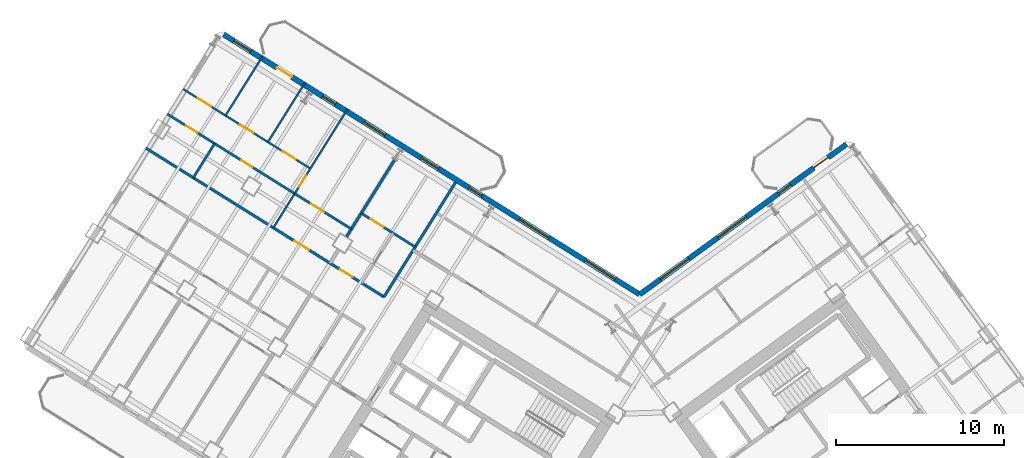
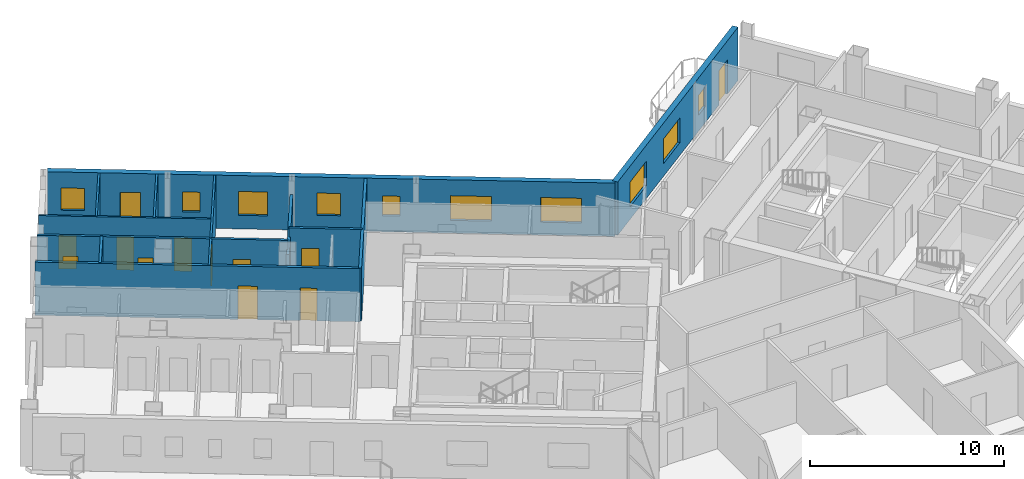
# One storey, part 16 of 21: 13 walls, 12 doors, 10 windows, 22 openings.
"""IFC4 building model written with IfcOpenShell, lengths in metres."""

from ifc_helpers import new_model, si_unit, direction, frame, frame_2d, origin, place, context, subcontext, project, spatial, rectangle, extrude, source, transform, mapped, material, layer, layer_set, type_object, element, fill, save


model = new_model("IFC4")

# Units and contexts
model_context = context("Model", 3, precision=1e-05, world=origin(), true_north=direction((0.0, 1.0)))
body_context = subcontext(model_context, "Body", "Model", "MODEL_VIEW")
ifc_project = project(units=[si_unit("LENGTHUNIT", "METRE"), si_unit("AREAUNIT", "SQUARE_METRE"), si_unit("VOLUMEUNIT", "CUBIC_METRE"), si_unit("PLANEANGLEUNIT", "RADIAN"), si_unit("MASSUNIT", "GRAM", prefix="KILO")], contexts=[model_context])

# Site, building, storey
site_placement = place(None, origin())
site = spatial("IfcSite", under=ifc_project, at=site_placement, CompositionType="ELEMENT")
building_placement = place(site_placement, origin())
building = spatial("IfcBuilding", under=site, at=building_placement, Name="Tlacorven Tower", CompositionType="ELEMENT")
storey_placement = place(building_placement, frame((0.0, 0.0, 93.60009765625)))
storey = spatial("IfcBuildingStorey", under=building, at=storey_placement, Name="L23", CompositionType="ELEMENT", Elevation=93.60009765625)

# Wall
ifc_material_1 = material(Name="Gypsum plasterboard acoustic partition", Category="gypsum")
ifc_layer_1 = layer(ifc_material_1, 0.159912109375)
ifc_layer_set_1 = layer_set([ifc_layer_1], Name="Gypsum plasterboard acoustic partition")
wall_type_1 = type_object("IfcWallType", Name="WL-DEM-160", PredefinedType="PARTITIONING", material=ifc_layer_set_1)
wall_1_placement = place(storey_placement, frame((31.238525390625, 38.27392578125, 0.0), z_axis=(0.0, 0.0, 1.0), x_axis=(-0.529928058306, -0.848042600947, 0.0)))
element("IfcWall", 1, at=wall_1_placement, inside=storey, type_object=wall_type_1, Name="L23 partition 51", PredefinedType="PARTITIONING", context=body_context, shape_type="SweptSolid", body=[
    extrude(rectangle(XDim=8.0498046875, YDim=0.159912109375, at=frame_2d((4.02490234375, 0.0))), origin(), (0.0, 0.0, 1.0), 3.33984375),
])

# Wall, openings, doors
wall_2_placement = place(storey_placement, frame((26.97265625, 31.447265625, 0.0), z_axis=(0.0, 0.0, 1.0), x_axis=(-0.848048310262, 0.529918921593, 0.0)))
wall_2 = element("IfcWall", 2, at=wall_2_placement, inside=storey, type_object=wall_type_1, Name="L23 Wing W Corridor South Wall", PredefinedType="PARTITIONING", context=body_context, shape_type="SweptSolid", body=[
    extrude(rectangle(XDim=16.72998046875, YDim=0.159912109375, at=frame_2d((8.364990234375, 0.0))), origin(), (0.0, 0.0, 1.0), 3.33984375),
])
opening_1_placement = place(wall_2_placement, frame((2.219970703125, 0.0, 0.0)))
opening_1 = element("IfcOpeningElement", 3, at=opening_1_placement, cuts=wall_2, Name="Opening D19", PredefinedType="OPENING", context=body_context, shape_type="SweptSolid", body=[
    extrude(rectangle(XDim=0.860107421875, YDim=2.050048828125, at=frame_2d((0.43017578125, 1.02490234375))), frame((0.0, 0.08984375, 0.0), z_axis=(0.0, -1.0, 0.0), x_axis=(1.0, 0.0, 0.0)), (0.0, 0.0, 1.0), 0.179931640625),
])
opening_2_placement = place(wall_2_placement, frame((5.280029296875, 0.0, 0.0)))
opening_2 = element("IfcOpeningElement", 4, at=opening_2_placement, cuts=wall_2, Name="Opening D11", PredefinedType="OPENING", context=body_context, shape_type="SweptSolid", body=[
    extrude(rectangle(XDim=1.0, YDim=2.10009765625, at=frame_2d((0.5, 1.050048828125))), frame((0.0, 0.08984375, 0.0), z_axis=(0.0, -1.0, 0.0), x_axis=(1.0, 0.0, 0.0)), (0.0, 0.0, 1.0), 0.179931640625),
])
ifc_material_2 = material(Name="Fire-rated steel door assembly", Category="steel")
door_type_1 = type_object("IfcDoorType", Name="DR-RSR-FD60-0860", OperationType="NOTDEFINED", PredefinedType="DOOR", material=ifc_material_2)
shared_shape_1 = source(origin(), body_context, "Body", "SweptSolid", [
    extrude(rectangle(XDim=0.860107421875, YDim=2.050048828125, at=frame_2d((0.43017578125, 1.02490234375))), frame((0.0, 0.02490234375, 0.0), z_axis=(0.0, -1.0, 0.0), x_axis=(1.0, 0.0, 0.0)), (0.0, 0.0, 1.0), 0.050048828125),
])
door_1_placement = place(opening_1_placement, origin())
door_1 = element("IfcDoor", 5, at=door_1_placement, inside=storey, type_object=door_type_1, Name="L23 door 036", OperationType="SINGLE_SWING_LEFT", OverallHeight=2.050048828125, OverallWidth=0.860107421875, PredefinedType="DOOR", context=body_context, shape_type="MappedRepresentation", body=[
    mapped(shared_shape_1, transform((0.0, 0.0, 0.0), scale=1.0)),
])
fill(opening_1, door_1)
door_type_2 = type_object("IfcDoorType", Name="DR-FLT-FD60-1000", OperationType="NOTDEFINED", PredefinedType="DOOR", material=ifc_material_2)
shared_shape_2 = source(origin(), body_context, "Body", "SweptSolid", [
    extrude(rectangle(XDim=1.0, YDim=2.10009765625, at=frame_2d((0.5, 1.050048828125))), frame((0.0, 0.02490234375, 0.0), z_axis=(0.0, -1.0, 0.0), x_axis=(1.0, 0.0, 0.0)), (0.0, 0.0, 1.0), 0.050048828125),
])
door_2_placement = place(opening_2_placement, origin())
door_2 = element("IfcDoor", 6, at=door_2_placement, inside=storey, type_object=door_type_2, Name="L23 door 040", OperationType="SINGLE_SWING_LEFT", OverallHeight=2.10009765625, OverallWidth=1.0, PredefinedType="DOOR", context=body_context, shape_type="MappedRepresentation", body=[
    mapped(shared_shape_2, transform((0.0, 0.0, 0.0), scale=1.0)),
])
fill(opening_2, door_2)

# Wall
wall_3_placement = place(storey_placement, frame((27.607421875, 39.614990234375, 0.0), z_axis=(0.0, 0.0, 1.0), x_axis=(-0.529913610495, -0.848051628978, 0.0)))
element("IfcWall", 7, at=wall_3_placement, inside=storey, type_object=wall_type_1, Name="L23 WS Demising Wall 1", PredefinedType="PARTITIONING", context=body_context, shape_type="SweptSolid", body=[
    extrude(rectangle(XDim=5.40087890625, YDim=0.159912109375, at=frame_2d((2.700439453125, 0.0))), origin(), (0.0, 0.0, 1.0), 2.77490234375),
])

# Wall, openings, door, windows
ifc_material_3 = material(Name="Precast concrete C45/55", Category="concrete")
ifc_layer_2 = layer(ifc_material_3, 0.320068359375)
ifc_layer_set_2 = layer_set([ifc_layer_2], Name="Precast concrete C45/55")
wall_type_2 = type_object("IfcWallType", Name="WL-EXT-320", PredefinedType="STANDARD", material=ifc_layer_set_2)
wall_4_placement = place(storey_placement, frame((17.423828125, 47.083251953125, 0.0), z_axis=(0.0, 0.0, 1.0), x_axis=(0.848049927979, -0.529916332693, 0.0)))
wall_4 = element("IfcWall", 8, at=wall_4_placement, inside=storey, type_object=wall_type_2, Name="L23 Masonry-Frame Recessed Facade Wall 3", PredefinedType="STANDARD", context=body_context, shape_type="SweptSolid", body=[
    extrude(rectangle(XDim=29.22314453125, YDim=0.320068359375, at=frame_2d((14.611572265625, 0.0))), origin(), (0.0, 0.0, 1.0), 3.349853515625),
])
opening_3_placement = place(wall_4_placement, frame((3.745361328125, 0.0, 0.0)))
opening_3 = element("IfcOpeningElement", 9, at=opening_3_placement, cuts=wall_4, Name="Opening D06", PredefinedType="OPENING", context=body_context, shape_type="SweptSolid", body=[
    extrude(rectangle(XDim=1.050048828125, YDim=2.14990234375, at=frame_2d((0.52490234375, 1.074951171875))), frame((0.0, 0.169921875, 0.0), z_axis=(0.0, -1.0, 0.0), x_axis=(1.0, 0.0, 0.0)), (0.0, 0.0, 1.0), 0.340087890625),
])
opening_4_placement = place(wall_4_placement, frame((0.699462890625, 0.0, 0.949951171875)))
opening_4 = element("IfcOpeningElement", 10, at=opening_4_placement, cuts=wall_4, Name="Opening WN03", PredefinedType="OPENING", context=body_context, shape_type="SweptSolid", body=[
    extrude(rectangle(XDim=1.199951171875, YDim=1.39990234375, at=frame_2d((0.60009765625, 0.699951171875))), frame((0.0, 0.169921875, 0.0), z_axis=(0.0, -1.0, 0.0), x_axis=(1.0, 0.0, 0.0)), (0.0, 0.0, 1.0), 0.340087890625),
])
opening_5_placement = place(wall_4_placement, frame((6.951171875, 0.0, 1.0)))
opening_5 = element("IfcOpeningElement", 11, at=opening_5_placement, cuts=wall_4, Name="Opening WN05", PredefinedType="OPENING", context=body_context, shape_type="SweptSolid", body=[
    extrude(rectangle(XDim=0.89990234375, YDim=1.25, at=frame_2d((0.449951171875, 0.625))), frame((0.0, 0.169921875, 0.0), z_axis=(0.0, -1.0, 0.0), x_axis=(1.0, 0.0, 0.0)), (0.0, 0.0, 1.0), 0.340087890625),
])
opening_6_placement = place(wall_4_placement, frame((9.84130859375, 0.0, 0.85009765625)))
opening_6 = element("IfcOpeningElement", 12, at=opening_6_placement, cuts=wall_4, Name="Opening WN02", PredefinedType="OPENING", context=body_context, shape_type="SweptSolid", body=[
    extrude(rectangle(XDim=1.5, YDim=1.5, at=frame_2d((0.75, 0.75))), frame((0.0, 0.169921875, 0.0), z_axis=(0.0, -1.0, 0.0), x_axis=(1.0, 0.0, 0.0)), (0.0, 0.0, 1.0), 0.340087890625),
])
opening_7_placement = place(wall_4_placement, frame((13.888671875, 0.0, 0.949951171875)))
opening_7 = element("IfcOpeningElement", 13, at=opening_7_placement, cuts=wall_4, Name="Opening WN03", PredefinedType="OPENING", context=body_context, shape_type="SweptSolid", body=[
    extrude(rectangle(XDim=1.199951171875, YDim=1.39990234375, at=frame_2d((0.60009765625, 0.699951171875))), frame((0.0, 0.169921875, 0.0), z_axis=(0.0, -1.0, 0.0), x_axis=(1.0, 0.0, 0.0)), (0.0, 0.0, 1.0), 0.340087890625),
])
opening_8_placement = place(wall_4_placement, frame((17.253662109375, 0.0, 1.0)))
opening_8 = element("IfcOpeningElement", 14, at=opening_8_placement, cuts=wall_4, Name="Opening WN05", PredefinedType="OPENING", context=body_context, shape_type="SweptSolid", body=[
    extrude(rectangle(XDim=0.89990234375, YDim=1.25, at=frame_2d((0.449951171875, 0.625))), frame((0.0, 0.169921875, 0.0), z_axis=(0.0, -1.0, 0.0), x_axis=(1.0, 0.0, 0.0)), (0.0, 0.0, 1.0), 0.340087890625),
])
opening_9_placement = place(wall_4_placement, frame((20.763671875, 0.0, 0.800048828125)))
opening_9 = element("IfcOpeningElement", 15, at=opening_9_placement, cuts=wall_4, Name="Opening WN04", PredefinedType="OPENING", context=body_context, shape_type="SweptSolid", body=[
    extrude(rectangle(XDim=2.10009765625, YDim=1.550048828125, at=frame_2d((1.050048828125, 0.77490234375))), frame((0.0, 0.169921875, 0.0), z_axis=(0.0, -1.0, 0.0), x_axis=(1.0, 0.0, 0.0)), (0.0, 0.0, 1.0), 0.340087890625),
])
opening_10_placement = place(wall_4_placement, frame((25.4033203125, 0.0, 0.800048828125)))
opening_10 = element("IfcOpeningElement", 16, at=opening_10_placement, cuts=wall_4, Name="Opening WN04", PredefinedType="OPENING", context=body_context, shape_type="SweptSolid", body=[
    extrude(rectangle(XDim=2.10009765625, YDim=1.550048828125, at=frame_2d((1.050048828125, 0.77490234375))), frame((0.0, 0.169921875, 0.0), z_axis=(0.0, -1.0, 0.0), x_axis=(1.0, 0.0, 0.0)), (0.0, 0.0, 1.0), 0.340087890625),
])
ifc_material_4 = material(Name="Powder-coated aluminium and timber door", Category="wood")
door_type_3 = type_object("IfcDoorType", Name="DR-EXT-BALC-1050", OperationType="NOTDEFINED", PredefinedType="DOOR", material=ifc_material_4)
shared_shape_3 = source(origin(), body_context, "Body", "SweptSolid", [
    extrude(rectangle(XDim=1.050048828125, YDim=2.14990234375, at=frame_2d((0.52490234375, 1.074951171875))), frame((0.0, 0.02490234375, 0.0), z_axis=(0.0, -1.0, 0.0), x_axis=(1.0, 0.0, 0.0)), (0.0, 0.0, 1.0), 0.050048828125),
])
door_3_placement = place(opening_3_placement, origin())
door_3 = element("IfcDoor", 17, at=door_3_placement, inside=storey, type_object=door_type_3, Name="L23 Outdoor Access Door BAL-L23-W-IN", OperationType="SINGLE_SWING_RIGHT", OverallHeight=2.14990234375, OverallWidth=1.050048828125, PredefinedType="DOOR", context=body_context, shape_type="MappedRepresentation", body=[
    mapped(shared_shape_3, transform((0.0, 0.0, 0.0), scale=1.0)),
])
fill(opening_3, door_3)
ifc_material_5 = material(Name="Dark solar low-E double glazing in anodised aluminium frame", Category="aluminium")
window_type_1 = type_object("IfcWindowType", Name="WN-APT-2100X1750", PartitioningType="SINGLE_PANEL", PredefinedType="WINDOW", material=ifc_material_5)
shared_shape_4 = source(origin(), body_context, "Body", "SweptSolid", [
    extrude(rectangle(XDim=2.10009765625, YDim=1.550048828125, at=frame_2d((1.050048828125, 0.77490234375))), frame((0.0, 0.030029296875, 0.0), z_axis=(0.0, -1.0, 0.0), x_axis=(1.0, 0.0, 0.0)), (0.0, 0.0, 1.0), 0.06005859375),
])
window_1_placement = place(opening_9_placement, origin())
window_1 = element("IfcWindow", 18, at=window_1_placement, inside=storey, type_object=window_type_1, Name="L23 Recessed Masonry-Frame Window L23-03.6", OverallHeight=1.550048828125, OverallWidth=2.10009765625, PartitioningType="SINGLE_PANEL", PredefinedType="WINDOW", context=body_context, shape_type="MappedRepresentation", body=[
    mapped(shared_shape_4, transform((0.0, 0.0, 0.0), scale=1.0)),
])
fill(opening_9, window_1)
window_2_placement = place(opening_10_placement, origin())
window_2 = element("IfcWindow", 19, at=window_2_placement, inside=storey, type_object=window_type_1, Name="L23 Recessed Masonry-Frame Window L23-03.7", OverallHeight=1.550048828125, OverallWidth=2.10009765625, PartitioningType="SINGLE_PANEL", PredefinedType="WINDOW", context=body_context, shape_type="MappedRepresentation", body=[
    mapped(shared_shape_4, transform((0.0, 0.0, 0.0), scale=1.0)),
])
fill(opening_10, window_2)
window_type_2 = type_object("IfcWindowType", Name="WN-APT-1200X1500", PartitioningType="SINGLE_PANEL", PredefinedType="WINDOW", material=ifc_material_5)
shared_shape_5 = source(origin(), body_context, "Body", "SweptSolid", [
    extrude(rectangle(XDim=1.199951171875, YDim=1.39990234375, at=frame_2d((0.60009765625, 0.699951171875))), frame((0.0, 0.030029296875, 0.0), z_axis=(0.0, -1.0, 0.0), x_axis=(1.0, 0.0, 0.0)), (0.0, 0.0, 1.0), 0.06005859375),
])
window_3_placement = place(opening_4_placement, origin())
window_3 = element("IfcWindow", 20, at=window_3_placement, inside=storey, type_object=window_type_2, Name="L23 Recessed Masonry-Frame Window L23-03.1", OverallHeight=1.39990234375, OverallWidth=1.199951171875, PartitioningType="SINGLE_PANEL", PredefinedType="WINDOW", context=body_context, shape_type="MappedRepresentation", body=[
    mapped(shared_shape_5, transform((0.0, 0.0, 0.0), scale=1.0)),
])
fill(opening_4, window_3)
window_4_placement = place(opening_7_placement, origin())
window_4 = element("IfcWindow", 21, at=window_4_placement, inside=storey, type_object=window_type_2, Name="L23 Recessed Masonry-Frame Window L23-03.4", OverallHeight=1.39990234375, OverallWidth=1.199951171875, PartitioningType="SINGLE_PANEL", PredefinedType="WINDOW", context=body_context, shape_type="MappedRepresentation", body=[
    mapped(shared_shape_5, transform((0.0, 0.0, 0.0), scale=1.0)),
])
fill(opening_7, window_4)
window_type_3 = type_object("IfcWindowType", Name="WN-APT-1500X1650", PartitioningType="SINGLE_PANEL", PredefinedType="WINDOW", material=ifc_material_5)
shared_shape_6 = source(origin(), body_context, "Body", "SweptSolid", [
    extrude(rectangle(XDim=1.5, YDim=1.5, at=frame_2d((0.75, 0.75))), frame((0.0, 0.030029296875, 0.0), z_axis=(0.0, -1.0, 0.0), x_axis=(1.0, 0.0, 0.0)), (0.0, 0.0, 1.0), 0.06005859375),
])
window_5_placement = place(opening_6_placement, origin())
window_5 = element("IfcWindow", 22, at=window_5_placement, inside=storey, type_object=window_type_3, Name="L23 Recessed Masonry-Frame Window L23-03.3", OverallHeight=1.5, OverallWidth=1.5, PartitioningType="SINGLE_PANEL", PredefinedType="WINDOW", context=body_context, shape_type="MappedRepresentation", body=[
    mapped(shared_shape_6, transform((0.0, 0.0, 0.0), scale=1.0)),
])
fill(opening_6, window_5)
window_type_4 = type_object("IfcWindowType", Name="WN-APT-0900X1350", PartitioningType="SINGLE_PANEL", PredefinedType="WINDOW", material=ifc_material_5)
shared_shape_7 = source(origin(), body_context, "Body", "SweptSolid", [
    extrude(rectangle(XDim=0.89990234375, YDim=1.25, at=frame_2d((0.449951171875, 0.625))), frame((0.0, 0.030029296875, 0.0), z_axis=(0.0, -1.0, 0.0), x_axis=(1.0, 0.0, 0.0)), (0.0, 0.0, 1.0), 0.06005859375),
])
window_6_placement = place(opening_5_placement, origin())
window_6 = element("IfcWindow", 23, at=window_6_placement, inside=storey, type_object=window_type_4, Name="L23 Recessed Masonry-Frame Window L23-03.2", OverallHeight=1.25, OverallWidth=0.89990234375, PartitioningType="SINGLE_PANEL", PredefinedType="WINDOW", context=body_context, shape_type="MappedRepresentation", body=[
    mapped(shared_shape_7, transform((0.0, 0.0, 0.0), scale=1.0)),
])
fill(opening_5, window_6)
window_7_placement = place(opening_8_placement, origin())
window_7 = element("IfcWindow", 24, at=window_7_placement, inside=storey, type_object=window_type_4, Name="L23 Recessed Masonry-Frame Window L23-03.5", OverallHeight=1.25, OverallWidth=0.89990234375, PartitioningType="SINGLE_PANEL", PredefinedType="WINDOW", context=body_context, shape_type="MappedRepresentation", body=[
    mapped(shared_shape_7, transform((0.0, 0.0, 0.0), scale=1.0)),
])
fill(opening_8, window_7)

wall_5_placement = place(storey_placement, frame((42.20654296875, 31.597412109375, 0.0), z_axis=(0.0, 0.0, 1.0), x_axis=(0.809020333377, 0.587780656523, 0.0)))
wall_5 = element("IfcWall", 25, at=wall_5_placement, inside=storey, type_object=wall_type_2, Name="L23 Masonry-Frame Recessed Facade Wall 4", PredefinedType="STANDARD", context=body_context, shape_type="SweptSolid", body=[
    extrude(rectangle(XDim=15.222900390625, YDim=0.320068359375, at=frame_2d((7.611328125, 0.0))), origin(), (0.0, 0.0, 1.0), 3.349853515625),
])
opening_11_placement = place(wall_5_placement, frame((12.81982421875, 0.0, 0.0)))
opening_11 = element("IfcOpeningElement", 26, at=opening_11_placement, cuts=wall_5, Name="Opening D06", PredefinedType="OPENING", context=body_context, shape_type="SweptSolid", body=[
    extrude(rectangle(XDim=1.050048828125, YDim=2.14990234375, at=frame_2d((0.52490234375, 1.074951171875))), frame((0.0, 0.169921875, 0.0), z_axis=(0.0, -1.0, 0.0), x_axis=(1.0, 0.0, 0.0)), (0.0, 0.0, 1.0), 0.340087890625),
])
opening_12_placement = place(wall_5_placement, frame((1.52001953125, 0.0, 0.800048828125)))
opening_12 = element("IfcOpeningElement", 27, at=opening_12_placement, cuts=wall_5, Name="Opening WN04", PredefinedType="OPENING", context=body_context, shape_type="SweptSolid", body=[
    extrude(rectangle(XDim=2.10009765625, YDim=1.550048828125, at=frame_2d((1.050048828125, 0.77490234375))), frame((0.0, 0.169921875, 0.0), z_axis=(0.0, -1.0, 0.0), x_axis=(1.0, 0.0, 0.0)), (0.0, 0.0, 1.0), 0.340087890625),
])
opening_13_placement = place(wall_5_placement, frame((5.759521484375, 0.0, 0.800048828125)))
opening_13 = element("IfcOpeningElement", 28, at=opening_13_placement, cuts=wall_5, Name="Opening WN04", PredefinedType="OPENING", context=body_context, shape_type="SweptSolid", body=[
    extrude(rectangle(XDim=2.10009765625, YDim=1.550048828125, at=frame_2d((1.050048828125, 0.77490234375))), frame((0.0, 0.169921875, 0.0), z_axis=(0.0, -1.0, 0.0), x_axis=(1.0, 0.0, 0.0)), (0.0, 0.0, 1.0), 0.340087890625),
])
opening_14_placement = place(wall_5_placement, frame((10.219482421875, 0.0, 1.0)))
opening_14 = element("IfcOpeningElement", 29, at=opening_14_placement, cuts=wall_5, Name="Opening WN05", PredefinedType="OPENING", context=body_context, shape_type="SweptSolid", body=[
    extrude(rectangle(XDim=0.89990234375, YDim=1.25, at=frame_2d((0.449951171875, 0.625))), frame((0.0, 0.169921875, 0.0), z_axis=(0.0, -1.0, 0.0), x_axis=(1.0, 0.0, 0.0)), (0.0, 0.0, 1.0), 0.340087890625),
])
door_4_placement = place(opening_11_placement, origin())
door_4 = element("IfcDoor", 30, at=door_4_placement, inside=storey, type_object=door_type_3, Name="L23 Outdoor Access Door BAL-L23-E-IN", OperationType="SINGLE_SWING_RIGHT", OverallHeight=2.14990234375, OverallWidth=1.050048828125, PredefinedType="DOOR", context=body_context, shape_type="MappedRepresentation", body=[
    mapped(shared_shape_3, transform((0.0, 0.0, 0.0), scale=1.0)),
])
fill(opening_11, door_4)
window_8_placement = place(opening_12_placement, origin())
window_8 = element("IfcWindow", 31, at=window_8_placement, inside=storey, type_object=window_type_1, Name="L23 Recessed Masonry-Frame Window L23-04.1", OverallHeight=1.550048828125, OverallWidth=2.10009765625, PartitioningType="SINGLE_PANEL", PredefinedType="WINDOW", context=body_context, shape_type="MappedRepresentation", body=[
    mapped(shared_shape_4, transform((0.0, 0.0, 0.0), scale=1.0)),
])
fill(opening_12, window_8)
window_9_placement = place(opening_13_placement, origin())
window_9 = element("IfcWindow", 32, at=window_9_placement, inside=storey, type_object=window_type_1, Name="L23 Recessed Masonry-Frame Window L23-04.2", OverallHeight=1.550048828125, OverallWidth=2.10009765625, PartitioningType="SINGLE_PANEL", PredefinedType="WINDOW", context=body_context, shape_type="MappedRepresentation", body=[
    mapped(shared_shape_4, transform((0.0, 0.0, 0.0), scale=1.0)),
])
fill(opening_13, window_9)
window_10_placement = place(opening_14_placement, origin())
window_10 = element("IfcWindow", 33, at=window_10_placement, inside=storey, type_object=window_type_4, Name="L23 Recessed Masonry-Frame Window L23-04.3", OverallHeight=1.25, OverallWidth=0.89990234375, PartitioningType="SINGLE_PANEL", PredefinedType="WINDOW", context=body_context, shape_type="MappedRepresentation", body=[
    mapped(shared_shape_7, transform((0.0, 0.0, 0.0), scale=1.0)),
])
fill(opening_14, window_10)

# Wall, opening, door
ifc_material_6 = material(Name="Gypsum plasterboard partition", Category="gypsum")
ifc_layer_3 = layer(ifc_material_6, 0.110107421875)
ifc_layer_set_3 = layer_set([ifc_layer_3], Name="Gypsum plasterboard partition")
wall_type_3 = type_object("IfcWallType", Name="WL-INT-110", PredefinedType="PARTITIONING", material=ifc_layer_set_3)
wall_6_placement = place(storey_placement, frame((24.792236328125, 42.620361328125, 0.0), z_axis=(0.0, 0.0, 1.0), x_axis=(-0.529925083182, -0.848044460046, 0.0)))
wall_6 = element("IfcWall", 34, at=wall_6_placement, inside=storey, type_object=wall_type_3, Name="L23 partition 71", PredefinedType="PARTITIONING", context=body_context, shape_type="SweptSolid", body=[
    extrude(rectangle(XDim=8.31982421875, YDim=0.110107421875, at=frame_2d((4.159912109375, 0.0))), origin(), (0.0, 0.0, 1.0), 3.33984375),
])
opening_15_placement = place(wall_6_placement, frame((4.64990234375, 0.0, 0.0)))
opening_15 = element("IfcOpeningElement", 35, at=opening_15_placement, cuts=wall_6, Name="Opening D22", PredefinedType="OPENING", context=body_context, shape_type="SweptSolid", body=[
    extrude(rectangle(XDim=0.780029296875, YDim=2.050048828125, at=frame_2d((0.39013671875, 1.02490234375))), frame((0.0, 0.06494140625, 0.0), z_axis=(0.0, -1.0, 0.0), x_axis=(1.0, 0.0, 0.0)), (0.0, 0.0, 1.0), 0.130126953125),
])
door_type_4 = type_object("IfcDoorType", Name="DR-INT-WET-0780", OperationType="NOTDEFINED", PredefinedType="DOOR", material=ifc_material_4)
shared_shape_8 = source(origin(), body_context, "Body", "SweptSolid", [
    extrude(rectangle(XDim=0.780029296875, YDim=2.050048828125, at=frame_2d((0.39013671875, 1.02490234375))), frame((0.0, 0.02490234375, 0.0), z_axis=(0.0, -1.0, 0.0), x_axis=(1.0, 0.0, 0.0)), (0.0, 0.0, 1.0), 0.050048828125),
])
door_5_placement = place(opening_15_placement, origin())
door_5 = element("IfcDoor", 36, at=door_5_placement, inside=storey, type_object=door_type_4, Name="L23 door 042", OperationType="SINGLE_SWING_LEFT", OverallHeight=2.050048828125, OverallWidth=0.780029296875, PredefinedType="DOOR", context=body_context, shape_type="MappedRepresentation", body=[
    mapped(shared_shape_8, transform((0.0, 0.0, 0.0), scale=1.0)),
])
fill(opening_15, door_5)

# Wall, openings, doors
wall_7_placement = place(storey_placement, frame((22.587890625, 39.092529296875, 0.0), z_axis=(0.0, 0.0, 1.0), x_axis=(-0.848044326704, 0.52992529657, 0.0)))
wall_7 = element("IfcWall", 37, at=wall_7_placement, inside=storey, type_object=wall_type_3, Name="L23 partition 76", PredefinedType="PARTITIONING", context=body_context, shape_type="SweptSolid", body=[
    extrude(rectangle(XDim=8.93994140625, YDim=0.110107421875, at=frame_2d((4.469970703125, 0.0))), origin(), (0.0, 0.0, 1.0), 3.33984375),
])
opening_16_placement = place(wall_7_placement, frame((1.030029296875, 0.0, 0.0)))
opening_16 = element("IfcOpeningElement", 38, at=opening_16_placement, cuts=wall_7, Name="Opening D12", PredefinedType="OPENING", context=body_context, shape_type="SweptSolid", body=[
    extrude(rectangle(XDim=0.919921875, YDim=2.080078125, at=frame_2d((0.4599609375, 1.0400390625))), frame((0.0, 0.06494140625, 0.0), z_axis=(0.0, -1.0, 0.0), x_axis=(1.0, 0.0, 0.0)), (0.0, 0.0, 1.0), 0.130126953125),
])
opening_17_placement = place(wall_7_placement, frame((4.010009765625, 0.0, 0.0)))
opening_17 = element("IfcOpeningElement", 39, at=opening_17_placement, cuts=wall_7, Name="Opening D12", PredefinedType="OPENING", context=body_context, shape_type="SweptSolid", body=[
    extrude(rectangle(XDim=0.919921875, YDim=2.080078125, at=frame_2d((0.4599609375, 1.0400390625))), frame((0.0, 0.06494140625, 0.0), z_axis=(0.0, -1.0, 0.0), x_axis=(1.0, 0.0, 0.0)), (0.0, 0.0, 1.0), 0.130126953125),
])
opening_18_placement = place(wall_7_placement, frame((6.989990234375, 0.0, 0.0)))
opening_18 = element("IfcOpeningElement", 40, at=opening_18_placement, cuts=wall_7, Name="Opening D12", PredefinedType="OPENING", context=body_context, shape_type="SweptSolid", body=[
    extrude(rectangle(XDim=0.919921875, YDim=2.080078125, at=frame_2d((0.4599609375, 1.0400390625))), frame((0.0, 0.06494140625, 0.0), z_axis=(0.0, -1.0, 0.0), x_axis=(1.0, 0.0, 0.0)), (0.0, 0.0, 1.0), 0.130126953125),
])
door_type_5 = type_object("IfcDoorType", Name="DR-INT-ROOM-0920", OperationType="NOTDEFINED", PredefinedType="DOOR", material=ifc_material_4)
shared_shape_9 = source(origin(), body_context, "Body", "SweptSolid", [
    extrude(rectangle(XDim=0.919921875, YDim=2.080078125, at=frame_2d((0.4599609375, 1.0400390625))), frame((0.0, 0.02490234375, 0.0), z_axis=(0.0, -1.0, 0.0), x_axis=(1.0, 0.0, 0.0)), (0.0, 0.0, 1.0), 0.050048828125),
])
door_6_placement = place(opening_16_placement, origin())
door_6 = element("IfcDoor", 41, at=door_6_placement, inside=storey, type_object=door_type_5, Name="L23 door 045", OperationType="SINGLE_SWING_RIGHT", OverallHeight=2.080078125, OverallWidth=0.919921875, PredefinedType="DOOR", context=body_context, shape_type="MappedRepresentation", body=[
    mapped(shared_shape_9, transform((0.0, 0.0, 0.0), scale=1.0)),
])
fill(opening_16, door_6)
door_7_placement = place(opening_17_placement, origin())
door_7 = element("IfcDoor", 42, at=door_7_placement, inside=storey, type_object=door_type_5, Name="L23 door 046", OperationType="SINGLE_SWING_LEFT", OverallHeight=2.080078125, OverallWidth=0.919921875, PredefinedType="DOOR", context=body_context, shape_type="MappedRepresentation", body=[
    mapped(shared_shape_9, transform((0.0, 0.0, 0.0), scale=1.0)),
])
fill(opening_17, door_7)
door_8_placement = place(opening_18_placement, origin())
door_8 = element("IfcDoor", 43, at=door_8_placement, inside=storey, type_object=door_type_5, Name="L23 door 047", OperationType="SINGLE_SWING_RIGHT", OverallHeight=2.080078125, OverallWidth=0.919921875, PredefinedType="DOOR", context=body_context, shape_type="MappedRepresentation", body=[
    mapped(shared_shape_9, transform((0.0, 0.0, 0.0), scale=1.0)),
])
fill(opening_18, door_8)

# Walls
wall_8_placement = place(storey_placement, frame((22.26513671875, 44.199462890625, 0.0), z_axis=(0.0, 0.0, 1.0), x_axis=(-0.529946186362, -0.848031272749, 0.0)))
element("IfcWall", 44, at=wall_8_placement, inside=storey, type_object=wall_type_3, Name="L23 partition 77", PredefinedType="PARTITIONING", context=body_context, shape_type="SweptSolid", body=[
    extrude(rectangle(XDim=4.159912109375, YDim=0.110107421875, at=frame_2d((2.080078125, 0.0))), origin(), (0.0, 0.0, 1.0), 3.33984375),
])
wall_9_placement = place(storey_placement, frame((19.73779296875, 45.77880859375, 0.0), z_axis=(0.0, 0.0, 1.0), x_axis=(-0.529877605827, -0.848074125795, 0.0)))
element("IfcWall", 45, at=wall_9_placement, inside=storey, type_object=wall_type_3, Name="L23 partition 78", PredefinedType="PARTITIONING", context=body_context, shape_type="SweptSolid", body=[
    extrude(rectangle(XDim=4.16015625, YDim=0.110107421875, at=frame_2d((2.080078125, 0.0))), origin(), (0.0, 0.0, 1.0), 3.33984375),
])

# Wall, opening, door
ifc_material_7 = material(Name="Moisture-resistant gypsum plumbing wall", Category="gypsum")
ifc_layer_4 = layer(ifc_material_7, 0.139892578125)
ifc_layer_set_4 = layer_set([ifc_layer_4], Name="Moisture-resistant gypsum plumbing wall")
wall_type_4 = type_object("IfcWallType", Name="WL-PLM-140", PredefinedType="PLUMBINGWALL", material=ifc_layer_set_4)
wall_10_placement = place(storey_placement, frame((28.832763671875, 34.423828125, 0.0), z_axis=(0.0, 0.0, 1.0), x_axis=(-0.848059820872, 0.529900500304, 0.0)))
wall_10 = element("IfcWall", 46, at=wall_10_placement, inside=storey, type_object=wall_type_4, Name="L23 partition 69", PredefinedType="PLUMBINGWALL", context=body_context, shape_type="SweptSolid", body=[
    extrude(rectangle(XDim=3.7900390625, YDim=0.139892578125, at=frame_2d((1.89501953125, 0.0))), origin(), (0.0, 0.0, 1.0), 3.33984375),
])
opening_19_placement = place(wall_10_placement, frame((2.22998046875, 0.0, 0.0)))
opening_19 = element("IfcOpeningElement", 47, at=opening_19_placement, cuts=wall_10, Name="Opening D12", PredefinedType="OPENING", context=body_context, shape_type="SweptSolid", body=[
    extrude(rectangle(XDim=0.919921875, YDim=2.080078125, at=frame_2d((0.4599609375, 1.0400390625))), frame((0.0, 0.080078125, 0.0), z_axis=(0.0, -1.0, 0.0), x_axis=(1.0, 0.0, 0.0)), (0.0, 0.0, 1.0), 0.159912109375),
])
door_9_placement = place(opening_19_placement, origin())
door_9 = element("IfcDoor", 48, at=door_9_placement, inside=storey, type_object=door_type_5, Name="L23 door 037", OperationType="SINGLE_SWING_RIGHT", OverallHeight=2.080078125, OverallWidth=0.919921875, PredefinedType="DOOR", context=body_context, shape_type="MappedRepresentation", body=[
    mapped(shared_shape_9, transform((0.0, 0.0, 0.0), scale=1.0)),
])
fill(opening_19, door_9)

wall_11_placement = place(storey_placement, frame((25.0302734375, 35.490966796875, 0.0), z_axis=(0.0, 0.0, 1.0), x_axis=(-0.848070667369, 0.52988314103, 0.0)))
wall_11 = element("IfcWall", 49, at=wall_11_placement, inside=storey, type_object=wall_type_4, Name="L23 partition 73", PredefinedType="PLUMBINGWALL", context=body_context, shape_type="SweptSolid", body=[
    extrude(rectangle(XDim=3.97998046875, YDim=0.139892578125, at=frame_2d((1.989990234375, 0.0))), origin(), (0.0, 0.0, 1.0), 3.33984375),
])
opening_20_placement = place(wall_11_placement, frame((1.929931640625, 0.0, 0.0)))
opening_20 = element("IfcOpeningElement", 50, at=opening_20_placement, cuts=wall_11, Name="Opening D12", PredefinedType="OPENING", context=body_context, shape_type="SweptSolid", body=[
    extrude(rectangle(XDim=0.919921875, YDim=2.080078125, at=frame_2d((0.4599609375, 1.0400390625))), frame((0.0, 0.080078125, 0.0), z_axis=(0.0, -1.0, 0.0), x_axis=(1.0, 0.0, 0.0)), (0.0, 0.0, 1.0), 0.159912109375),
])
door_10_placement = place(opening_20_placement, origin())
door_10 = element("IfcDoor", 51, at=door_10_placement, inside=storey, type_object=door_type_5, Name="L23 door 041", OperationType="SINGLE_SWING_RIGHT", OverallHeight=2.080078125, OverallWidth=0.919921875, PredefinedType="DOOR", context=body_context, shape_type="MappedRepresentation", body=[
    mapped(shared_shape_9, transform((0.0, 0.0, 0.0), scale=1.0)),
])
fill(opening_20, door_10)

# Wall, openings, doors
wall_12_placement = place(storey_placement, frame((21.655029296875, 37.599853515625, 0.0), z_axis=(0.0, 0.0, 1.0), x_axis=(-0.848044326704, 0.52992529657, 0.0)))
wall_12 = element("IfcWall", 52, at=wall_12_placement, inside=storey, type_object=wall_type_4, Name="L23 partition 74", PredefinedType="PLUMBINGWALL", context=body_context, shape_type="SweptSolid", body=[
    extrude(rectangle(XDim=8.93994140625, YDim=0.139892578125, at=frame_2d((4.469970703125, 0.0))), origin(), (0.0, 0.0, 1.0), 3.33984375),
])
opening_21_placement = place(wall_12_placement, frame((2.972412109375, 0.0, 0.0)))
opening_21 = element("IfcOpeningElement", 53, at=opening_21_placement, cuts=wall_12, Name="Opening D22", PredefinedType="OPENING", context=body_context, shape_type="SweptSolid", body=[
    extrude(rectangle(XDim=0.780029296875, YDim=2.050048828125, at=frame_2d((0.39013671875, 1.02490234375))), frame((0.0, 0.080078125, 0.0), z_axis=(0.0, -1.0, 0.0), x_axis=(1.0, 0.0, 0.0)), (0.0, 0.0, 1.0), 0.159912109375),
])
opening_22_placement = place(wall_12_placement, frame((6.842529296875, 0.0, 0.0)))
opening_22 = element("IfcOpeningElement", 54, at=opening_22_placement, cuts=wall_12, Name="Opening D22", PredefinedType="OPENING", context=body_context, shape_type="SweptSolid", body=[
    extrude(rectangle(XDim=0.780029296875, YDim=2.050048828125, at=frame_2d((0.39013671875, 1.02490234375))), frame((0.0, 0.080078125, 0.0), z_axis=(0.0, -1.0, 0.0), x_axis=(1.0, 0.0, 0.0)), (0.0, 0.0, 1.0), 0.159912109375),
])
door_11_placement = place(opening_21_placement, origin())
door_11 = element("IfcDoor", 55, at=door_11_placement, inside=storey, type_object=door_type_4, Name="L23 door 043", OperationType="SINGLE_SWING_RIGHT", OverallHeight=2.050048828125, OverallWidth=0.780029296875, PredefinedType="DOOR", context=body_context, shape_type="MappedRepresentation", body=[
    mapped(shared_shape_8, transform((0.0, 0.0, 0.0), scale=1.0)),
])
fill(opening_21, door_11)
door_12_placement = place(opening_22_placement, origin())
door_12 = element("IfcDoor", 56, at=door_12_placement, inside=storey, type_object=door_type_4, Name="L23 door 044", OperationType="SINGLE_SWING_LEFT", OverallHeight=2.050048828125, OverallWidth=0.780029296875, PredefinedType="DOOR", context=body_context, shape_type="MappedRepresentation", body=[
    mapped(shared_shape_8, transform((0.0, 0.0, 0.0), scale=1.0)),
])
fill(opening_22, door_12)

# Wall
wall_13_placement = place(storey_placement, frame((16.89013671875, 40.58935546875, 0.0), z_axis=(0.0, 0.0, 1.0), x_axis=(-0.52988967038, -0.848066587731, 0.0)))
element("IfcWall", 57, at=wall_13_placement, inside=storey, type_object=wall_type_4, Name="L23 partition 75", PredefinedType="PLUMBINGWALL", context=body_context, shape_type="SweptSolid", body=[
    extrude(rectangle(XDim=2.41015625, YDim=0.139892578125, at=frame_2d((1.205078125, 0.0))), origin(), (0.0, 0.0, 1.0), 3.33984375),
])

save(model, "model.ifc")
